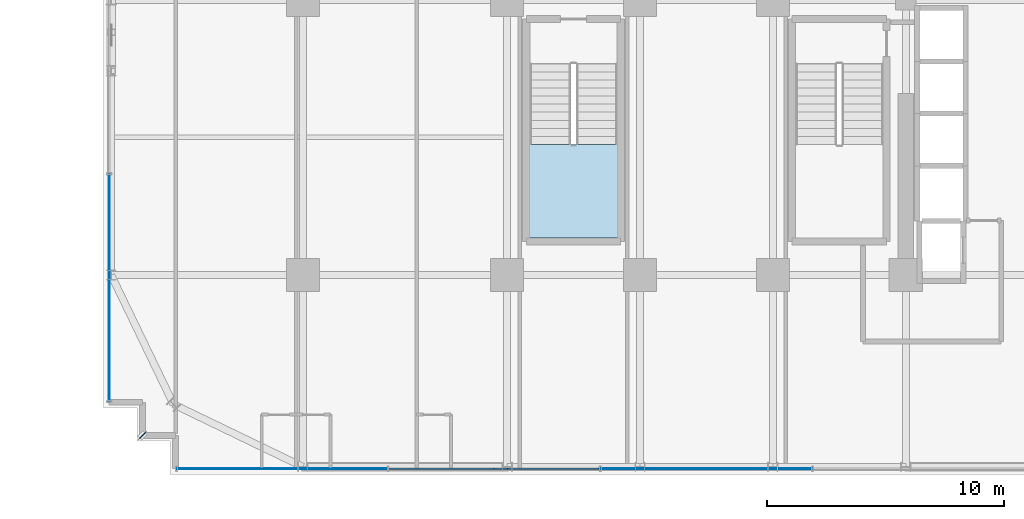
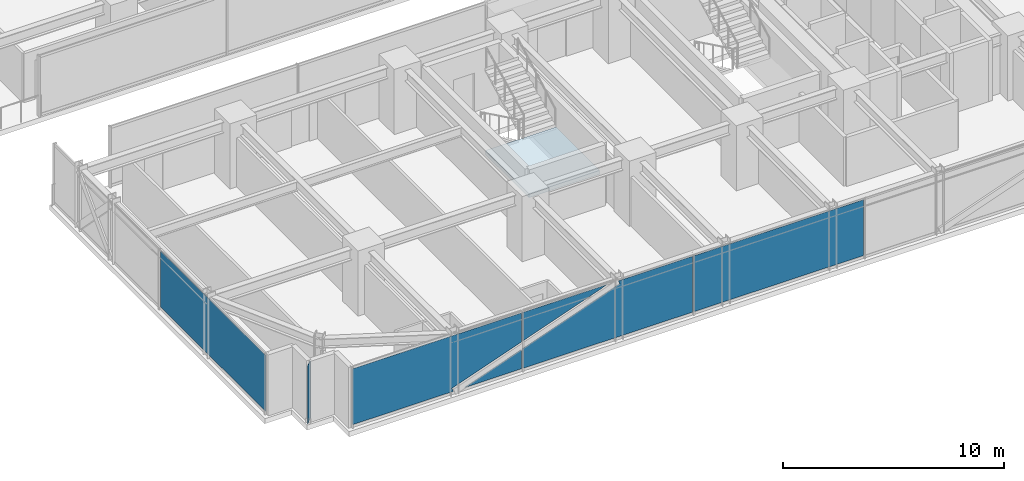
# One storey, part 30 of 43: 5 plates, 1 slab, 3 elements without a shape of their own.
"""IFC4 building model written with IfcOpenShell, lengths in metres."""

from ifc_helpers import new_model, si_unit, direction, frame, origin, origin_2d, place, context, subcontext, project, spatial, polyline, rectangle, outline, extrude, source, transform, mapped, material, layer, layer_set, type_object, element, aggregate, save


model = new_model("IFC4")

# Units and contexts
model_context = context("Model", 3, precision=1e-05, world=origin(), true_north=direction((0.0, 1.0)))
body_context = subcontext(model_context, "Body", "Model", "MODEL_VIEW")
ifc_project = project(units=[si_unit("LENGTHUNIT", "METRE"), si_unit("AREAUNIT", "SQUARE_METRE"), si_unit("VOLUMEUNIT", "CUBIC_METRE"), si_unit("PLANEANGLEUNIT", "RADIAN"), si_unit("MASSUNIT", "GRAM", prefix="KILO")], contexts=[model_context])

# Site, building, storey
site_placement = place(None, origin())
site = spatial("IfcSite", under=ifc_project, at=site_placement, CompositionType="ELEMENT")
building_placement = place(site_placement, origin())
building = spatial("IfcBuilding", under=site, at=building_placement, Name="Nahalor Promenade Grand Hotel", CompositionType="ELEMENT")
storey_placement = place(building_placement, frame((0.0, 0.0, 47.0)))
storey = spatial("IfcBuildingStorey", under=building, at=storey_placement, Name="L10", CompositionType="ELEMENT", Elevation=47.0)

# Curtain wall, plates
ifc_material_1 = material(Name="Anodised Bronze Aluminium EN AW-6063 T6", Category="aluminium")
curtain_wall_type = type_object("IfcCurtainWallType", Name="CW3 Elliptical-Void Collar Unitised Curtain Wall", PredefinedType="USERDEFINED", material=ifc_material_1)
curtain_wall_1_placement = place(storey_placement, origin())
curtain_wall_1 = element("IfcCurtainWall", 1, at=curtain_wall_1_placement, inside=storey, type_object=curtain_wall_type, Name="L10 Curtain Wall CW-L10-S-1", ObjectType="UNITISED_CURTAIN_WALL", PredefinedType="USERDEFINED")
ifc_material_2 = material(Name="Low-E Laminated Solar Glass", Category="glass")
ifc_layer_1 = layer(ifc_material_2, 0.030029296875)
ifc_layer_set_1 = layer_set([ifc_layer_1], Name="Low-E Laminated Solar Glass")
plate_type_1 = type_object("IfcPlateType", Name="CWP3 High-Wind Laminated Bronze IGU 30mm", PredefinedType="CURTAIN_PANEL", material=ifc_layer_set_1)
plate_1_placement = place(storey_placement, frame((-17.87060546875, -25.159912109375, 0.14013671875), z_axis=(0.0, 0.0, 1.0), x_axis=(1.0, 0.0, 0.0)))
plate_1 = element("IfcPlate", 2, at=plate_1_placement, type_object=plate_type_1, Name="CW-L10-S-1 Glazing Panel 0-0", PredefinedType="CURTAIN_PANEL", context=body_context, shape_type="SweptSolid", body=[
    extrude(outline(polyline([(-4.41943359375, 3.090087890625), (-4.41943359375, 0.0), (0.847412109375, 0.0), (0.77978515625, 0.18994140625), (4.41943359375, 1.4892578125), (4.41943359375, 3.090087890625), (-4.41943359375, 3.090087890625)])), frame((0.0, 0.01513671875, 0.0), z_axis=(0.0, -1.0, 0.0), x_axis=(1.0, 0.0, 0.0)), (0.0, 0.0, 1.0), 0.030029296875),
    extrude(outline(polyline([(1.437255859375, 0.0), (4.41943359375, 0.0), (4.41943359375, 1.064453125), (1.437255859375, 0.0)])), frame((0.0, 0.01513671875, 0.0), z_axis=(0.0, -1.0, 0.0), x_axis=(1.0, 0.0, 0.0)), (0.0, 0.0, 1.0), 0.030029296875),
])
plate_2_placement = place(storey_placement, frame((-8.944091796875, -25.159912109375, 0.14013671875), z_axis=(0.0, 0.0, 1.0), x_axis=(1.0, 0.0, 0.0)))
plate_2 = element("IfcPlate", 3, at=plate_2_placement, type_object=plate_type_1, Name="CW-L10-S-1 Glazing Panel 1-0", PredefinedType="CURTAIN_PANEL", context=body_context, shape_type="SweptSolid", body=[
    extrude(outline(polyline([(4.43701171875, 0.0), (4.43701171875, 3.090087890625), (0.56689453125, 3.090087890625), (0.634765625, 2.900146484375), (-4.43701171875, 1.089599609375), (-4.43701171875, 0.0), (4.43701171875, 0.0)])), frame((0.0, 0.01513671875, 0.0), z_axis=(0.0, -1.0, 0.0), x_axis=(1.0, 0.0, 0.0)), (0.0, 0.0, 1.0), 0.030029296875),
    extrude(outline(polyline([(-0.02294921875, 3.090087890625), (-4.43701171875, 3.090087890625), (-4.43701171875, 1.51416015625), (-0.02294921875, 3.090087890625)])), frame((0.0, 0.01513671875, 0.0), z_axis=(0.0, -1.0, 0.0), x_axis=(1.0, 0.0, 0.0)), (0.0, 0.0, 1.0), 0.030029296875),
])

# Stair, slab
ifc_material_3 = material(Name="Concrete B-50 (C40/50)", Category="concrete")
stair_type = type_object("IfcStairType", Name="Stair-ST3", PredefinedType="HALF_TURN_STAIR", material=ifc_material_3)
stair_placement = place(storey_placement, origin())
stair = element("IfcStair", 4, at=stair_placement, inside=storey, type_object=stair_type, Name="L10 ST3", PredefinedType="HALF_TURN_STAIR")
ifc_layer_2 = layer(ifc_material_3, 0.219970703125)
ifc_layer_set_2 = layer_set([ifc_layer_2], Name="Concrete B-50 (C40/50)")
slab_type = type_object("IfcSlabType", Name="Landing-ST3", PredefinedType="LANDING", material=ifc_layer_set_2)
slab_placement = place(storey_placement, frame((0.0, 0.0, 1.60498046875)))
slab = element("IfcSlab", 5, at=slab_placement, type_object=slab_type, Name="ST3 landing 1", PredefinedType="LANDING", context=body_context, shape_type="SweptSolid", body=[
    extrude(outline(polyline([(-7.449951171875, -11.5), (-7.449951171875, -15.449951171875), (-3.75, -15.449951171875), (-3.75, -11.5), (-7.449951171875, -11.5)])), origin(), (0.0, 0.0, 1.0), 0.219970703125),
])
aggregate(stair, [slab])

# Plate
shared_shape_1 = source(origin(), body_context, "Body", "SweptSolid", [
    extrude(rectangle(XDim=8.8740234375, YDim=0.030029296875, at=origin_2d()), origin(), (0.0, 0.0, 1.0), 3.090087890625),
])
plate_3_placement = place(storey_placement, frame((0.0, -25.159912109375, 0.14013671875), z_axis=(0.0, 0.0, 1.0), x_axis=(1.0, 0.0, 0.0)))
plate_3 = element("IfcPlate", 6, at=plate_3_placement, type_object=plate_type_1, Name="CW-L10-S-1 Glazing Panel 2-0", PredefinedType="CURTAIN_PANEL", context=body_context, shape_type="MappedRepresentation", body=[
    mapped(shared_shape_1, transform((0.0, 0.0, 0.0), scale=1.0)),
])

aggregate(curtain_wall_1, [plate_1, plate_2, plate_3])

ifc_layer_3 = layer(ifc_material_1, 0.02001953125)
ifc_layer_set_3 = layer_set([ifc_layer_3], Name="Anodised Bronze Aluminium EN AW-6063 T6")
plate_type_2 = type_object("IfcPlateType", Name="Plate-CornerFin-20", PredefinedType="SHEET", material=ifc_layer_set_3)
shared_shape_2 = source(origin(), body_context, "Body", "SweptSolid", [
    extrude(rectangle(XDim=0.449951171875, YDim=0.02001953125, at=origin_2d()), origin(), (0.0, 0.0, 1.0), 3.199951171875),
])
plate_4_placement = place(storey_placement, frame((-23.760009765625, -23.760009765625, 0.0), z_axis=(0.0, 0.0, 1.0), x_axis=(0.707106781187, 0.707106781187, 0.0)))
element("IfcPlate", 7, at=plate_4_placement, inside=storey, type_object=plate_type_2, Name="FIN-L10-SW", PredefinedType="SHEET", context=body_context, shape_type="MappedRepresentation", body=[
    mapped(shared_shape_2, transform((0.0, 0.0, 0.0), scale=1.0)),
])

# Curtain wall, plate
curtain_wall_2_placement = place(storey_placement, origin())
curtain_wall_2 = element("IfcCurtainWall", 8, at=curtain_wall_2_placement, inside=storey, type_object=curtain_wall_type, Name="L10 Curtain Wall CW-L10-W-1", ObjectType="UNITISED_CURTAIN_WALL", PredefinedType="USERDEFINED")
shared_shape_3 = source(origin(), body_context, "Body", "SweptSolid", [
    extrude(rectangle(XDim=9.52490234375, YDim=0.030029296875, at=origin_2d()), origin(), (0.0, 0.0, 1.0), 3.090087890625),
])
plate_5_placement = place(storey_placement, frame((-25.159912109375, -17.527587890625, 0.14013671875), z_axis=(0.0, 0.0, 1.0), x_axis=(0.0, 1.0, 0.0)))
plate_5 = element("IfcPlate", 9, at=plate_5_placement, type_object=plate_type_1, Name="CW-L10-W-1 Glazing Panel 0-0", PredefinedType="CURTAIN_PANEL", context=body_context, shape_type="MappedRepresentation", body=[
    mapped(shared_shape_3, transform((0.0, 0.0, 0.0), scale=1.0)),
])
aggregate(curtain_wall_2, [plate_5])

save(model, "model.ifc")
